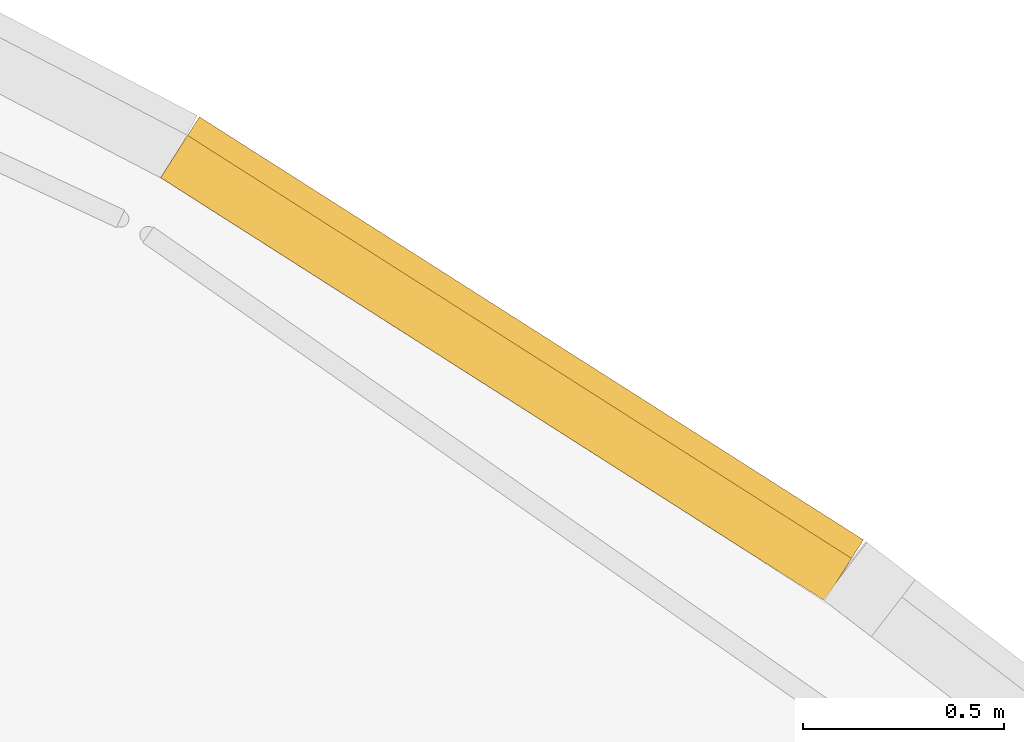
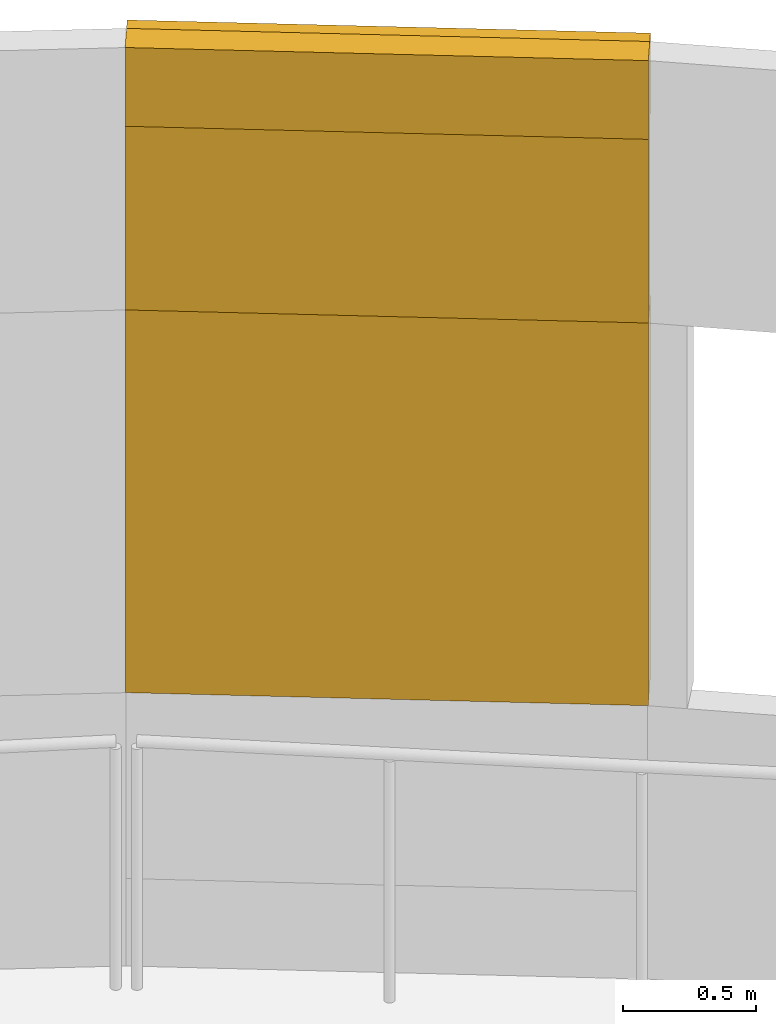
# One storey, part 103 of 103: 3 coverings.
"""IFC4 building model written with IfcOpenShell, lengths in metres."""

from ifc_helpers import new_model, si_unit, direction, frame, origin, origin_2d, place, context, subcontext, project, spatial, rectangle, extrude, material, layer, layer_set, type_object, element, save


model = new_model("IFC4")

# Units and contexts
model_context = context("Model", 3, precision=1e-05, world=origin(), true_north=direction((0.0, 1.0)))
body_context = subcontext(model_context, "Body", "Model", "MODEL_VIEW")
ifc_project = project(units=[si_unit("LENGTHUNIT", "METRE"), si_unit("AREAUNIT", "SQUARE_METRE"), si_unit("VOLUMEUNIT", "CUBIC_METRE"), si_unit("PLANEANGLEUNIT", "RADIAN"), si_unit("MASSUNIT", "GRAM", prefix="KILO")], contexts=[model_context])

# Site, building, storey
site_placement = place(None, origin())
site = spatial("IfcSite", under=ifc_project, at=site_placement, CompositionType="ELEMENT")
building_placement = place(site_placement, origin())
building = spatial("IfcBuilding", under=site, at=building_placement, Name="Deido Ridge Mobility Hub", CompositionType="ELEMENT")
storey_placement = place(building_placement, frame((0.0, 0.0, 12.60009765625)))
storey = spatial("IfcBuildingStorey", under=building, at=storey_placement, Name="L03", CompositionType="ELEMENT", Elevation=12.60009765625)

# Coverings
ifc_material = material(Name="Fired clay brick masonry", Category="masonry")
ifc_layer = layer(ifc_material, 0.114990234375, Name="Fired clay brick masonry")
ifc_layer_set = layer_set([ifc_layer], Name="Fired clay brick masonry")
covering_type = type_object("IfcCoveringType", Name="COV-BRK-SCREEN-115", PredefinedType="CLADDING", material=ifc_layer_set)
covering_1_placement = place(storey_placement, frame((129.049560546875, 122.4140625, 3.0), z_axis=(0.0, 0.0, 1.0), x_axis=(-0.843382068037, 0.537314328223, 0.0)))
element("IfcCovering", 1, at=covering_1_placement, inside=storey, type_object=covering_type, Name="Open brickwork lintel course BKS1 (L03)", PredefinedType="CLADDING", context=body_context, shape_type="SweptSolid", body=[
    extrude(rectangle(XDim=1.9619140625, YDim=0.125, at=origin_2d()), origin(), (0.0, 0.0, 1.0), 1.199951171875),
])
covering_2_placement = place(storey_placement, frame((129.064208984375, 122.437255859375, 3.83984375), z_axis=(0.0, 0.0, 1.0), x_axis=(-0.843382068037, 0.537314328223, 0.0)))
element("IfcCovering", 2, at=covering_2_placement, inside=storey, type_object=covering_type, Name="Raised brick relief cornice BKS1 (L03)", PredefinedType="CLADDING", context=body_context, shape_type="SweptSolid", body=[
    extrude(rectangle(XDim=1.9619140625, YDim=0.179931640625, at=origin_2d()), origin(), (0.0, 0.0, 1.0), 0.360107421875),
])
covering_3_placement = place(storey_placement, frame((129.064208984375, 122.437255859375, 1.25), z_axis=(0.0, 0.0, 1.0), x_axis=(-0.843382068037, 0.537314328223, 0.0)))
element("IfcCovering", 3, at=covering_3_placement, inside=storey, type_object=covering_type, Name="Curved raised brickwork pier BKS1 (L03)", PredefinedType="CLADDING", context=body_context, shape_type="SweptSolid", body=[
    extrude(rectangle(XDim=1.9619140625, YDim=0.179931640625, at=origin_2d()), origin(), (0.0, 0.0, 1.0), 1.75),
])

save(model, "model.ifc")
